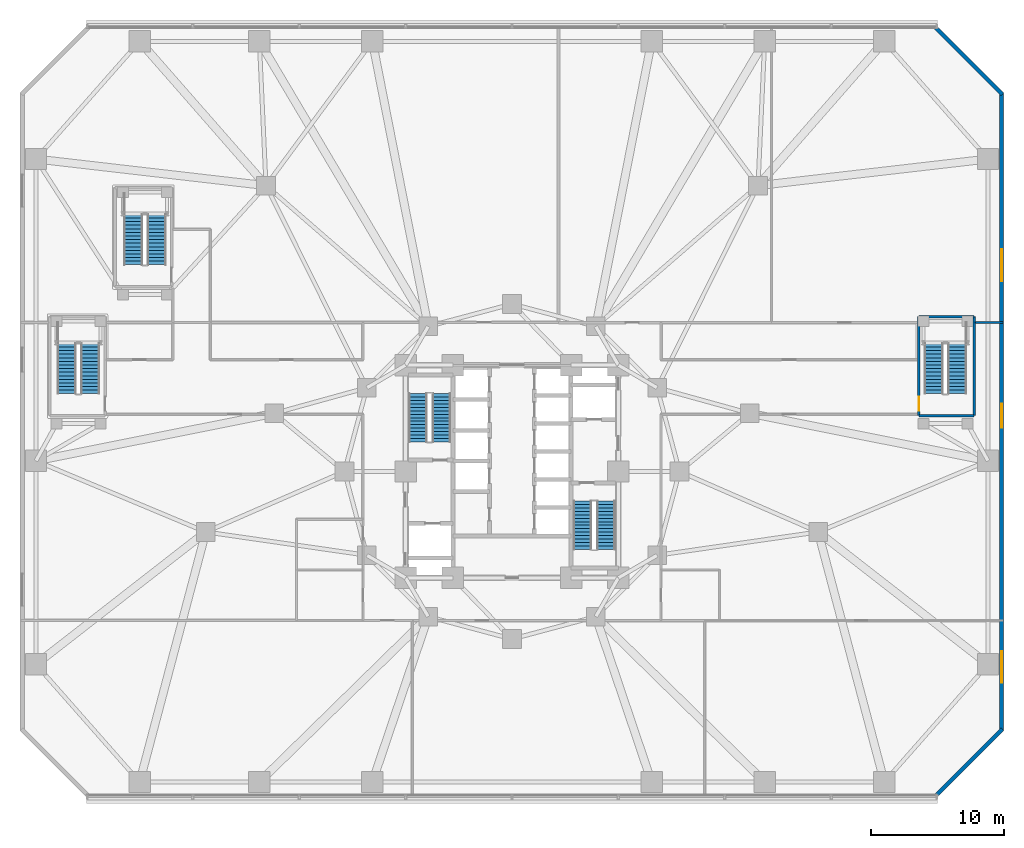
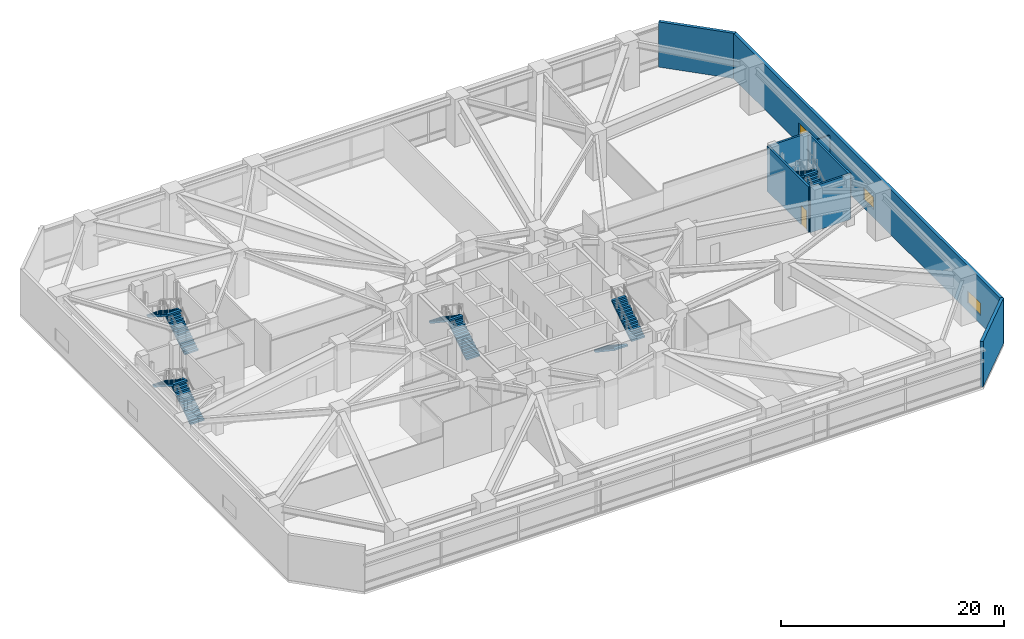
# One storey, part 18 of 27: 10 stair flights, 8 walls, 3 windows, 1 door, 4 openings, 5 elements without a shape of their own.
"""IFC4 building model written with IfcOpenShell, lengths in metres."""

from ifc_helpers import new_model, si_unit, direction, frame, frame_2d, origin, place, context, subcontext, project, spatial, polyline, rectangle, outline, extrude, material, layer, layer_set, type_object, element, fill, aggregate, save


model = new_model("IFC4")

# Units and contexts
model_context = context("Model", 3, precision=1e-05, world=origin(), true_north=direction((0.0, 1.0)))
body_context = subcontext(model_context, "Body", "Model", "MODEL_VIEW")
ifc_project = project(units=[si_unit("LENGTHUNIT", "METRE"), si_unit("AREAUNIT", "SQUARE_METRE"), si_unit("VOLUMEUNIT", "CUBIC_METRE"), si_unit("PLANEANGLEUNIT", "RADIAN"), si_unit("MASSUNIT", "GRAM", prefix="KILO")], contexts=[model_context])

# Site, building, storey
site_placement = place(None, origin())
site = spatial("IfcSite", under=ifc_project, at=site_placement, CompositionType="ELEMENT")
building_placement = place(site_placement, origin())
building = spatial("IfcBuilding", under=site, at=building_placement, Name="Terralouvre Media Tower", CompositionType="ELEMENT")
storey_placement = place(building_placement, frame((0.0, 0.0, 15.60009765625)))
storey = spatial("IfcBuildingStorey", under=building, at=storey_placement, Name="L03", CompositionType="ELEMENT", Elevation=15.60009765625)

# Walls
ifc_material_1 = material(Name="Fire-rated gypsum board drywall partition")
ifc_layer_1 = layer(ifc_material_1, 0.199951171875, Name="Fire-Rated Shaft and Lobby Partition FW-200")
ifc_layer_set_1 = layer_set([ifc_layer_1], Name="Fire-rated gypsum board drywall partition")
wall_type_1 = type_object("IfcWallType", Name="Fire-Rated Shaft and Lobby Partition FW-200", PredefinedType="SOLIDWALL", material=ifc_layer_set_1)
wall_1_placement = place(storey_placement, frame((30.60009765625, 4.199951171875, 0.0), z_axis=(0.0, 0.0, 1.0), x_axis=(1.0, 0.0, 0.0)))
element("IfcWall", 1, at=wall_1_placement, inside=storey, type_object=wall_type_1, Name="L03 ST04 Stair Shaft Wall S", PredefinedType="SOLIDWALL", context=body_context, shape_type="SweptSolid", body=[
    extrude(rectangle(XDim=4.14990234375, YDim=0.199951171875, at=frame_2d((2.074951171875, 0.0))), origin(), (0.0, 0.0, 1.0), 4.949951171875),
])
wall_2_placement = place(storey_placement, frame((34.75, 4.199951171875, 0.0), z_axis=(0.0, 0.0, 1.0), x_axis=(0.0, 1.0, 0.0)))
element("IfcWall", 2, at=wall_2_placement, inside=storey, type_object=wall_type_1, Name="L03 ST04 Stair Shaft Wall E", PredefinedType="SOLIDWALL", context=body_context, shape_type="SweptSolid", body=[
    extrude(rectangle(XDim=7.449951171875, YDim=0.199951171875, at=frame_2d((3.72509765625, 0.0))), origin(), (0.0, 0.0, 1.0), 4.949951171875),
])
wall_3_placement = place(storey_placement, frame((34.75, 11.64990234375, 0.0), z_axis=(0.0, 0.0, 1.0), x_axis=(-1.0, 0.0, 0.0)))
element("IfcWall", 3, at=wall_3_placement, inside=storey, type_object=wall_type_1, Name="L03 ST04 Stair Shaft Wall N", PredefinedType="SOLIDWALL", context=body_context, shape_type="SweptSolid", body=[
    extrude(rectangle(XDim=4.14990234375, YDim=0.199951171875, at=frame_2d((2.074951171875, 0.0))), origin(), (0.0, 0.0, 1.0), 4.949951171875),
])

# Wall, opening, door
wall_4_placement = place(storey_placement, frame((30.60009765625, 11.64990234375, 0.0), z_axis=(0.0, 0.0, 1.0), x_axis=(0.0, -1.0, 0.0)))
wall_4 = element("IfcWall", 4, at=wall_4_placement, inside=storey, type_object=wall_type_1, Name="L03 ST04 Stair Shaft Wall W", PredefinedType="SOLIDWALL", context=body_context, shape_type="SweptSolid", body=[
    extrude(rectangle(XDim=7.449951171875, YDim=0.199951171875, at=frame_2d((3.72509765625, 0.0))), origin(), (0.0, 0.0, 1.0), 4.949951171875),
])
opening_1_placement = place(wall_4_placement, frame((6.0400390625, 0.0, 0.0)))
opening_1 = element("IfcOpeningElement", 5, at=opening_1_placement, cuts=wall_4, Name="Opening FD-01-105X215", PredefinedType="OPENING", context=body_context, shape_type="SweptSolid", body=[
    extrude(rectangle(XDim=1.050048828125, YDim=2.14990234375, at=frame_2d((0.52490234375, 1.074951171875))), frame((0.0, 0.10986328125, 0.0), z_axis=(0.0, -1.0, 0.0), x_axis=(1.0, 0.0, 0.0)), (0.0, 0.0, 1.0), 0.219970703125),
])
ifc_material_2 = material(Name="Galvanised steel fire-resisting leaf", Category="steel")
door_type = type_object("IfcDoorType", Name="Stair and Firefighting Lobby Fire Door FD-01 (1050x2150)", OperationType="NOTDEFINED", PredefinedType="DOOR", material=ifc_material_2)
door_placement = place(opening_1_placement, origin())
door = element("IfcDoor", 6, at=door_placement, inside=storey, type_object=door_type, Name="L03 ST04 Pressurised Stair Door", OperationType="SINGLE_SWING_LEFT", OverallHeight=2.14990234375, OverallWidth=1.050048828125, PredefinedType="DOOR", context=body_context, shape_type="SweptSolid", body=[
    extrude(rectangle(XDim=1.050048828125, YDim=2.14990234375, at=frame_2d((0.52490234375, 1.074951171875))), frame((0.0, 0.02490234375, 0.0), z_axis=(0.0, -1.0, 0.0), x_axis=(1.0, 0.0, 0.0)), (0.0, 0.0, 1.0), 0.050048828125),
])
fill(opening_1, door)

# Walls
ifc_material_3 = material(Name="Fire-rated gypsum board drywall partition")
ifc_layer_2 = layer(ifc_material_3, 0.135009765625, Name="Newsroom Acoustic Partition PT-135")
ifc_layer_set_2 = layer_set([ifc_layer_2], Name="Fire-rated gypsum board drywall partition")
wall_type_2 = type_object("IfcWallType", Name="Newsroom Acoustic Partition PT-135", PredefinedType="PARTITIONING", material=ifc_layer_set_2)
wall_5_placement = place(storey_placement, frame((36.919921875, 11.199951171875, 0.0), z_axis=(0.0, 0.0, 1.0), x_axis=(-1.0, 0.0, 0.0)))
element("IfcWall", 7, at=wall_5_placement, inside=storey, type_object=wall_type_2, Name="L03 Interior Partition 037", PredefinedType="PARTITIONING", context=body_context, shape_type="SweptSolid", body=[
    extrude(rectangle(XDim=2.06982421875, YDim=0.135009765625, at=frame_2d((1.034912109375, 0.0))), origin(), (0.0, 0.0, 1.0), 4.23486328125),
])
ifc_material_4 = material(Name="Kiln-fired architectural terracotta rainscreen cladding", Category="masonry")
ifc_layer_3 = layer(ifc_material_4, 0.300048828125, Name="Podium Acoustic Terracotta Cladding Wall EW-TC300")
ifc_layer_set_3 = layer_set([ifc_layer_3], Name="Kiln-fired architectural terracotta rainscreen cladding")
wall_type_3 = type_object("IfcWallType", Name="Podium Acoustic Terracotta Cladding Wall EW-TC300", PredefinedType="SOLIDWALL", material=ifc_layer_set_3)
wall_6_placement = place(storey_placement, frame((31.876220703125, -24.376220703125, 0.0), z_axis=(0.0, 0.0, 1.0), x_axis=(0.707106781187, 0.707106781187, 0.0)))
element("IfcWall", 8, at=wall_6_placement, inside=storey, type_object=wall_type_3, Name="L03 Podium Terracotta Wall F1", PredefinedType="SOLIDWALL", context=body_context, shape_type="SweptSolid", body=[
    extrude(rectangle(XDim=7.071044921875, YDim=0.300048828125, at=frame_2d((3.53564453125, 0.0))), origin(), (0.0, 0.0, 1.0), 4.949951171875),
])

# Wall, openings, windows
wall_7_placement = place(storey_placement, frame((36.824951171875, -19.5, 0.0), z_axis=(0.0, 0.0, 1.0), x_axis=(0.0, 1.0, 0.0)))
wall_7 = element("IfcWall", 9, at=wall_7_placement, inside=storey, type_object=wall_type_3, Name="L03 Podium Terracotta Wall F2", PredefinedType="SOLIDWALL", context=body_context, shape_type="SweptSolid", body=[
    extrude(rectangle(XDim=48.0, YDim=0.300048828125, at=frame_2d((24.0, 0.0))), origin(), (0.0, 0.0, 1.0), 4.949951171875),
])
opening_2_placement = place(wall_7_placement, frame((3.60009765625, 0.0, 0.89990234375)))
opening_2 = element("IfcOpeningElement", 10, at=opening_2_placement, cuts=wall_7, Name="Opening W-01", PredefinedType="OPENING", context=body_context, shape_type="SweptSolid", body=[
    extrude(rectangle(XDim=2.39990234375, YDim=1.35009765625, at=frame_2d((1.199951171875, 0.675048828125))), frame((0.0, 0.159912109375, 0.0), z_axis=(0.0, -1.0, 0.0), x_axis=(1.0, 0.0, 0.0)), (0.0, 0.0, 1.0), 0.320068359375),
])
opening_3_placement = place(wall_7_placement, frame((22.800048828125, 0.0, 0.89990234375)))
opening_3 = element("IfcOpeningElement", 11, at=opening_3_placement, cuts=wall_7, Name="Opening W-02", PredefinedType="OPENING", context=body_context, shape_type="SweptSolid", body=[
    extrude(rectangle(XDim=1.800048828125, YDim=1.35009765625, at=frame_2d((0.89990234375, 0.675048828125))), frame((0.0, 0.159912109375, 0.0), z_axis=(0.0, -1.0, 0.0), x_axis=(1.0, 0.0, 0.0)), (0.0, 0.0, 1.0), 0.320068359375),
])
opening_4_placement = place(wall_7_placement, frame((33.800048828125, 0.0, 0.89990234375)))
opening_4 = element("IfcOpeningElement", 12, at=opening_4_placement, cuts=wall_7, Name="Opening W-01", PredefinedType="OPENING", context=body_context, shape_type="SweptSolid", body=[
    extrude(rectangle(XDim=2.39990234375, YDim=1.35009765625, at=frame_2d((1.199951171875, 0.675048828125))), frame((0.0, 0.159912109375, 0.0), z_axis=(0.0, -1.0, 0.0), x_axis=(1.0, 0.0, 0.0)), (0.0, 0.0, 1.0), 0.320068359375),
])
ifc_material_5 = material(Name="Low-iron laminated double glazing with solar-control coating", Category="glass")
window_type_1 = type_object("IfcWindowType", Name="Podium Acoustic Studio Window W-01", PartitioningType="SINGLE_PANEL", PredefinedType="WINDOW", material=ifc_material_5)
window_1_placement = place(opening_2_placement, origin())
window_1 = element("IfcWindow", 13, at=window_1_placement, inside=storey, type_object=window_type_1, Name="L03 Podium Window WIN-L03-F2-1", OverallHeight=1.35009765625, OverallWidth=2.39990234375, PartitioningType="SINGLE_PANEL", PredefinedType="WINDOW", context=body_context, shape_type="SweptSolid", body=[
    extrude(rectangle(XDim=2.39990234375, YDim=1.35009765625, at=frame_2d((1.199951171875, 0.675048828125))), frame((0.0, 0.030029296875, 0.0), z_axis=(0.0, -1.0, 0.0), x_axis=(1.0, 0.0, 0.0)), (0.0, 0.0, 1.0), 0.06005859375),
])
fill(opening_2, window_1)
window_2_placement = place(opening_4_placement, origin())
window_2 = element("IfcWindow", 14, at=window_2_placement, inside=storey, type_object=window_type_1, Name="L03 Podium Window WIN-L03-F2-3", OverallHeight=1.35009765625, OverallWidth=2.39990234375, PartitioningType="SINGLE_PANEL", PredefinedType="WINDOW", context=body_context, shape_type="SweptSolid", body=[
    extrude(rectangle(XDim=2.39990234375, YDim=1.35009765625, at=frame_2d((1.199951171875, 0.675048828125))), frame((0.0, 0.030029296875, 0.0), z_axis=(0.0, -1.0, 0.0), x_axis=(1.0, 0.0, 0.0)), (0.0, 0.0, 1.0), 0.06005859375),
])
fill(opening_4, window_2)
ifc_material_6 = material(Name="Low-iron laminated double glazing with solar-control coating", Category="glass")
window_type_2 = type_object("IfcWindowType", Name="Podium Press Office Window W-02", PartitioningType="SINGLE_PANEL", PredefinedType="WINDOW", material=ifc_material_6)
window_3_placement = place(opening_3_placement, origin())
window_3 = element("IfcWindow", 15, at=window_3_placement, inside=storey, type_object=window_type_2, Name="L03 Podium Window WIN-L03-F2-2", OverallHeight=1.35009765625, OverallWidth=1.800048828125, PartitioningType="SINGLE_PANEL", PredefinedType="WINDOW", context=body_context, shape_type="SweptSolid", body=[
    extrude(rectangle(XDim=1.800048828125, YDim=1.35009765625, at=frame_2d((0.89990234375, 0.675048828125))), frame((0.0, 0.030029296875, 0.0), z_axis=(0.0, -1.0, 0.0), x_axis=(1.0, 0.0, 0.0)), (0.0, 0.0, 1.0), 0.06005859375),
])
fill(opening_3, window_3)

# Wall
wall_8_placement = place(storey_placement, frame((36.876220703125, 28.376220703125, 0.0), z_axis=(0.0, 0.0, 1.0), x_axis=(-0.707106781187, 0.707106781187, 0.0)))
element("IfcWall", 16, at=wall_8_placement, inside=storey, type_object=wall_type_3, Name="L03 Podium Terracotta Wall F3", PredefinedType="SOLIDWALL", context=body_context, shape_type="SweptSolid", body=[
    extrude(rectangle(XDim=7.071044921875, YDim=0.300048828125, at=frame_2d((3.53564453125, 0.0))), origin(), (0.0, 0.0, 1.0), 4.949951171875),
])

# Stair, stair flights
ifc_material_7 = material(Name="Concrete C45/55", Category="concrete")
stair_type_1 = type_object("IfcStairType", Name="Dogleg Stair Assembly ST-01", PredefinedType="HALF_TURN_STAIR", material=ifc_material_7)
stair_1_placement = place(storey_placement, origin())
stair_1 = element("IfcStair", 17, at=stair_1_placement, inside=storey, type_object=stair_type_1, Name="L03 Core Pressurised Exit Stair ST-01", PredefinedType="HALF_TURN_STAIR")
ifc_material_8 = material(Name="Concrete C45/55", Category="concrete")
stair_flight_type = type_object("IfcStairFlightType", Name="Reinforced Concrete Stair Flight SF-RC1", PredefinedType="STRAIGHT", material=ifc_material_8)
stair_flight_1_placement = place(storey_placement, frame((-5.300048828125, 2.219970703125, 0.0), z_axis=(0.0, 0.0, 1.0), x_axis=(0.0, 1.0, 0.0)))
stair_flight_1 = element("IfcStairFlight", 18, at=stair_flight_1_placement, type_object=stair_flight_type, Name="ST-01 flight 1", NumberOfRisers=15, NumberOfTreads=14, PredefinedType="STRAIGHT", RiserHeight=0.173333333, TreadLength=0.26, context=body_context, shape_type="SweptSolid", body=[
    extrude(outline(polyline([(0.0, 0.0), (0.0, 0.17333984375), (0.260009765625, 0.17333984375), (0.260009765625, 0.3466796875), (0.52001953125, 0.3466796875), (0.52001953125, 0.52001953125), (0.780029296875, 0.52001953125), (0.780029296875, 0.693359375), (1.0400390625, 0.693359375), (1.0400390625, 0.86669921875), (1.300048828125, 0.86669921875), (1.300048828125, 1.0400390625), (1.56005859375, 1.0400390625), (1.56005859375, 1.21337890625), (1.820068359375, 1.21337890625), (1.820068359375, 1.38671875), (2.080078125, 1.38671875), (2.080078125, 1.56005859375), (2.340087890625, 1.56005859375), (2.340087890625, 1.7333984375), (2.60009765625, 1.7333984375), (2.60009765625, 1.90673828125), (2.860107421875, 1.90673828125), (2.860107421875, 2.080078125), (3.1201171875, 2.080078125), (3.1201171875, 2.25341796875), (3.3798828125, 2.25341796875), (3.3798828125, 2.4267578125), (3.639892578125, 2.4267578125), (3.639892578125, 2.60009765625), (3.639892578125, 2.24658203125), (0.270263671875, 0.0), (0.0, 0.0)])), frame((0.0, 0.699951171875, 0.0), z_axis=(0.0, -1.0, 0.0), x_axis=(1.0, 0.0, 0.0)), (0.0, 0.0, 1.0), 1.39990234375),
])
stair_flight_2_placement = place(storey_placement, frame((-7.080078125, 5.860107421875, 2.599853515625), z_axis=(0.0, 0.0, 1.0), x_axis=(0.0, -1.0, 0.0)))
stair_flight_2 = element("IfcStairFlight", 19, at=stair_flight_2_placement, type_object=stair_flight_type, Name="ST-01 flight 2", NumberOfRisers=15, NumberOfTreads=14, PredefinedType="STRAIGHT", RiserHeight=0.173333333, TreadLength=0.26, context=body_context, shape_type="SweptSolid", body=[
    extrude(outline(polyline([(0.0, 0.0), (0.0, 0.17333984375), (0.260009765625, 0.17333984375), (0.260009765625, 0.3466796875), (0.52001953125, 0.3466796875), (0.52001953125, 0.52001953125), (0.780029296875, 0.52001953125), (0.780029296875, 0.693359375), (1.0400390625, 0.693359375), (1.0400390625, 0.86669921875), (1.300048828125, 0.86669921875), (1.300048828125, 1.0400390625), (1.56005859375, 1.0400390625), (1.56005859375, 1.21337890625), (1.820068359375, 1.21337890625), (1.820068359375, 1.38671875), (2.080078125, 1.38671875), (2.080078125, 1.56005859375), (2.340087890625, 1.56005859375), (2.340087890625, 1.7333984375), (2.60009765625, 1.7333984375), (2.60009765625, 1.90673828125), (2.860107421875, 1.90673828125), (2.860107421875, 2.080078125), (3.1201171875, 2.080078125), (3.1201171875, 2.25341796875), (3.3798828125, 2.25341796875), (3.3798828125, 2.4267578125), (3.639892578125, 2.4267578125), (3.639892578125, 2.60009765625), (3.639892578125, 2.24658203125), (0.270263671875, 0.0), (0.0, 0.0)])), frame((0.0, 0.699951171875, 0.0), z_axis=(0.0, -1.0, 0.0), x_axis=(1.0, 0.0, 0.0)), (0.0, 0.0, 1.0), 1.39990234375),
])
aggregate(stair_1, [stair_flight_1, stair_flight_2])

ifc_material_9 = material(Name="Concrete C45/55", Category="concrete")
stair_type_2 = type_object("IfcStairType", Name="Dogleg Stair Assembly ST-02", PredefinedType="HALF_TURN_STAIR", material=ifc_material_9)
stair_2_placement = place(storey_placement, origin())
stair_2 = element("IfcStair", 20, at=stair_2_placement, inside=storey, type_object=stair_type_2, Name="L03 Core Pressurised Exit Stair ST-02", PredefinedType="HALF_TURN_STAIR")
stair_flight_3_placement = place(storey_placement, frame((5.300048828125, -2.219970703125, 0.0), z_axis=(0.0, 0.0, 1.0), x_axis=(0.0, -1.0, 0.0)))
stair_flight_3 = element("IfcStairFlight", 21, at=stair_flight_3_placement, type_object=stair_flight_type, Name="ST-02 flight 1", NumberOfRisers=15, NumberOfTreads=14, PredefinedType="STRAIGHT", RiserHeight=0.173333333, TreadLength=0.26, context=body_context, shape_type="SweptSolid", body=[
    extrude(outline(polyline([(0.0, 0.0), (0.0, 0.17333984375), (0.260009765625, 0.17333984375), (0.260009765625, 0.3466796875), (0.52001953125, 0.3466796875), (0.52001953125, 0.52001953125), (0.780029296875, 0.52001953125), (0.780029296875, 0.693359375), (1.0400390625, 0.693359375), (1.0400390625, 0.86669921875), (1.300048828125, 0.86669921875), (1.300048828125, 1.0400390625), (1.56005859375, 1.0400390625), (1.56005859375, 1.21337890625), (1.820068359375, 1.21337890625), (1.820068359375, 1.38671875), (2.080078125, 1.38671875), (2.080078125, 1.56005859375), (2.340087890625, 1.56005859375), (2.340087890625, 1.7333984375), (2.60009765625, 1.7333984375), (2.60009765625, 1.90673828125), (2.860107421875, 1.90673828125), (2.860107421875, 2.080078125), (3.1201171875, 2.080078125), (3.1201171875, 2.25341796875), (3.3798828125, 2.25341796875), (3.3798828125, 2.4267578125), (3.639892578125, 2.4267578125), (3.639892578125, 2.60009765625), (3.639892578125, 2.24658203125), (0.270263671875, 0.0), (0.0, 0.0)])), frame((0.0, 0.699951171875, 0.0), z_axis=(0.0, -1.0, 0.0), x_axis=(1.0, 0.0, 0.0)), (0.0, 0.0, 1.0), 1.39990234375),
])
stair_flight_4_placement = place(storey_placement, frame((7.080078125, -5.860107421875, 2.599853515625), z_axis=(0.0, 0.0, 1.0), x_axis=(0.0, 1.0, 0.0)))
stair_flight_4 = element("IfcStairFlight", 22, at=stair_flight_4_placement, type_object=stair_flight_type, Name="ST-02 flight 2", NumberOfRisers=15, NumberOfTreads=14, PredefinedType="STRAIGHT", RiserHeight=0.173333333, TreadLength=0.26, context=body_context, shape_type="SweptSolid", body=[
    extrude(outline(polyline([(0.0, 0.0), (0.0, 0.17333984375), (0.260009765625, 0.17333984375), (0.260009765625, 0.3466796875), (0.52001953125, 0.3466796875), (0.52001953125, 0.52001953125), (0.780029296875, 0.52001953125), (0.780029296875, 0.693359375), (1.0400390625, 0.693359375), (1.0400390625, 0.86669921875), (1.300048828125, 0.86669921875), (1.300048828125, 1.0400390625), (1.56005859375, 1.0400390625), (1.56005859375, 1.21337890625), (1.820068359375, 1.21337890625), (1.820068359375, 1.38671875), (2.080078125, 1.38671875), (2.080078125, 1.56005859375), (2.340087890625, 1.56005859375), (2.340087890625, 1.7333984375), (2.60009765625, 1.7333984375), (2.60009765625, 1.90673828125), (2.860107421875, 1.90673828125), (2.860107421875, 2.080078125), (3.1201171875, 2.080078125), (3.1201171875, 2.25341796875), (3.3798828125, 2.25341796875), (3.3798828125, 2.4267578125), (3.639892578125, 2.4267578125), (3.639892578125, 2.60009765625), (3.639892578125, 2.24658203125), (0.270263671875, 0.0), (0.0, 0.0)])), frame((0.0, 0.699951171875, 0.0), z_axis=(0.0, -1.0, 0.0), x_axis=(1.0, 0.0, 0.0)), (0.0, 0.0, 1.0), 1.39990234375),
])
aggregate(stair_2, [stair_flight_3, stair_flight_4])

ifc_material_10 = material(Name="Concrete C45/55", Category="concrete")
stair_type_3 = type_object("IfcStairType", Name="Dogleg Stair Assembly ST-03", PredefinedType="HALF_TURN_STAIR", material=ifc_material_10)
stair_3_placement = place(storey_placement, origin())
stair_3 = element("IfcStair", 23, at=stair_3_placement, inside=storey, type_object=stair_type_3, Name="L03 West Podium Exit Stair ST-03", PredefinedType="HALF_TURN_STAIR")
stair_flight_5_placement = place(storey_placement, frame((-31.7099609375, 5.85009765625, 0.0), z_axis=(0.0, 0.0, 1.0), x_axis=(0.0, 1.0, 0.0)))
stair_flight_5 = element("IfcStairFlight", 24, at=stair_flight_5_placement, type_object=stair_flight_type, Name="ST-03 flight 1", NumberOfRisers=15, NumberOfTreads=14, PredefinedType="STRAIGHT", RiserHeight=0.173333333, TreadLength=0.27, context=body_context, shape_type="SweptSolid", body=[
    extrude(outline(polyline([(0.0, 0.0), (0.0, 0.17333984375), (0.27001953125, 0.17333984375), (0.27001953125, 0.3466796875), (0.5400390625, 0.3466796875), (0.5400390625, 0.52001953125), (0.81005859375, 0.52001953125), (0.81005859375, 0.693359375), (1.080078125, 0.693359375), (1.080078125, 0.86669921875), (1.35009765625, 0.86669921875), (1.35009765625, 1.0400390625), (1.6201171875, 1.0400390625), (1.6201171875, 1.21337890625), (1.889892578125, 1.21337890625), (1.889892578125, 1.38671875), (2.159912109375, 1.38671875), (2.159912109375, 1.56005859375), (2.429931640625, 1.56005859375), (2.429931640625, 1.7333984375), (2.699951171875, 1.7333984375), (2.699951171875, 1.90673828125), (2.969970703125, 1.90673828125), (2.969970703125, 2.080078125), (3.239990234375, 2.080078125), (3.239990234375, 2.25341796875), (3.510009765625, 2.25341796875), (3.510009765625, 2.4267578125), (3.780029296875, 2.4267578125), (3.780029296875, 2.60009765625), (3.780029296875, 2.24853515625), (0.277587890625, 0.0), (0.0, 0.0)])), frame((0.0, 0.7099609375, 0.0), z_axis=(0.0, -1.0, 0.0), x_axis=(1.0, 0.0, 0.0)), (0.0, 0.0, 1.0), 1.419921875),
])
stair_flight_6_placement = place(storey_placement, frame((-33.489990234375, 9.6298828125, 2.599853515625), z_axis=(0.0, 0.0, 1.0), x_axis=(0.0, -1.0, 0.0)))
stair_flight_6 = element("IfcStairFlight", 25, at=stair_flight_6_placement, type_object=stair_flight_type, Name="ST-03 flight 2", NumberOfRisers=15, NumberOfTreads=14, PredefinedType="STRAIGHT", RiserHeight=0.173333333, TreadLength=0.27, context=body_context, shape_type="SweptSolid", body=[
    extrude(outline(polyline([(0.0, 0.0), (0.0, 0.17333984375), (0.27001953125, 0.17333984375), (0.27001953125, 0.3466796875), (0.5400390625, 0.3466796875), (0.5400390625, 0.52001953125), (0.81005859375, 0.52001953125), (0.81005859375, 0.693359375), (1.080078125, 0.693359375), (1.080078125, 0.86669921875), (1.35009765625, 0.86669921875), (1.35009765625, 1.0400390625), (1.6201171875, 1.0400390625), (1.6201171875, 1.21337890625), (1.889892578125, 1.21337890625), (1.889892578125, 1.38671875), (2.159912109375, 1.38671875), (2.159912109375, 1.56005859375), (2.429931640625, 1.56005859375), (2.429931640625, 1.7333984375), (2.699951171875, 1.7333984375), (2.699951171875, 1.90673828125), (2.969970703125, 1.90673828125), (2.969970703125, 2.080078125), (3.239990234375, 2.080078125), (3.239990234375, 2.25341796875), (3.510009765625, 2.25341796875), (3.510009765625, 2.4267578125), (3.780029296875, 2.4267578125), (3.780029296875, 2.60009765625), (3.780029296875, 2.24853515625), (0.277587890625, 0.0), (0.0, 0.0)])), frame((0.0, 0.7099609375, 0.0), z_axis=(0.0, -1.0, 0.0), x_axis=(1.0, 0.0, 0.0)), (0.0, 0.0, 1.0), 1.419921875),
])
aggregate(stair_3, [stair_flight_5, stair_flight_6])

ifc_material_11 = material(Name="Concrete C45/55", Category="concrete")
stair_type_4 = type_object("IfcStairType", Name="Dogleg Stair Assembly ST-04", PredefinedType="HALF_TURN_STAIR", material=ifc_material_11)
stair_4_placement = place(storey_placement, origin())
stair_4 = element("IfcStair", 26, at=stair_4_placement, inside=storey, type_object=stair_type_4, Name="L03 East Podium Exit Stair ST-04", PredefinedType="HALF_TURN_STAIR")
stair_flight_7_placement = place(storey_placement, frame((33.489990234375, 5.85009765625, 0.0), z_axis=(0.0, 0.0, 1.0), x_axis=(0.0, 1.0, 0.0)))
stair_flight_7 = element("IfcStairFlight", 27, at=stair_flight_7_placement, type_object=stair_flight_type, Name="ST-04 flight 1", NumberOfRisers=15, NumberOfTreads=14, PredefinedType="STRAIGHT", RiserHeight=0.173333333, TreadLength=0.27, context=body_context, shape_type="SweptSolid", body=[
    extrude(outline(polyline([(0.0, 0.0), (0.0, 0.17333984375), (0.27001953125, 0.17333984375), (0.27001953125, 0.3466796875), (0.5400390625, 0.3466796875), (0.5400390625, 0.52001953125), (0.81005859375, 0.52001953125), (0.81005859375, 0.693359375), (1.080078125, 0.693359375), (1.080078125, 0.86669921875), (1.35009765625, 0.86669921875), (1.35009765625, 1.0400390625), (1.6201171875, 1.0400390625), (1.6201171875, 1.21337890625), (1.889892578125, 1.21337890625), (1.889892578125, 1.38671875), (2.159912109375, 1.38671875), (2.159912109375, 1.56005859375), (2.429931640625, 1.56005859375), (2.429931640625, 1.7333984375), (2.699951171875, 1.7333984375), (2.699951171875, 1.90673828125), (2.969970703125, 1.90673828125), (2.969970703125, 2.080078125), (3.239990234375, 2.080078125), (3.239990234375, 2.25341796875), (3.510009765625, 2.25341796875), (3.510009765625, 2.4267578125), (3.780029296875, 2.4267578125), (3.780029296875, 2.60009765625), (3.780029296875, 2.24853515625), (0.277587890625, 0.0), (0.0, 0.0)])), frame((0.0, 0.7099609375, 0.0), z_axis=(0.0, -1.0, 0.0), x_axis=(1.0, 0.0, 0.0)), (0.0, 0.0, 1.0), 1.419921875),
])
stair_flight_8_placement = place(storey_placement, frame((31.7099609375, 9.6298828125, 2.599853515625), z_axis=(0.0, 0.0, 1.0), x_axis=(0.0, -1.0, 0.0)))
stair_flight_8 = element("IfcStairFlight", 28, at=stair_flight_8_placement, type_object=stair_flight_type, Name="ST-04 flight 2", NumberOfRisers=15, NumberOfTreads=14, PredefinedType="STRAIGHT", RiserHeight=0.173333333, TreadLength=0.27, context=body_context, shape_type="SweptSolid", body=[
    extrude(outline(polyline([(0.0, 0.0), (0.0, 0.17333984375), (0.27001953125, 0.17333984375), (0.27001953125, 0.3466796875), (0.5400390625, 0.3466796875), (0.5400390625, 0.52001953125), (0.81005859375, 0.52001953125), (0.81005859375, 0.693359375), (1.080078125, 0.693359375), (1.080078125, 0.86669921875), (1.35009765625, 0.86669921875), (1.35009765625, 1.0400390625), (1.6201171875, 1.0400390625), (1.6201171875, 1.21337890625), (1.889892578125, 1.21337890625), (1.889892578125, 1.38671875), (2.159912109375, 1.38671875), (2.159912109375, 1.56005859375), (2.429931640625, 1.56005859375), (2.429931640625, 1.7333984375), (2.699951171875, 1.7333984375), (2.699951171875, 1.90673828125), (2.969970703125, 1.90673828125), (2.969970703125, 2.080078125), (3.239990234375, 2.080078125), (3.239990234375, 2.25341796875), (3.510009765625, 2.25341796875), (3.510009765625, 2.4267578125), (3.780029296875, 2.4267578125), (3.780029296875, 2.60009765625), (3.780029296875, 2.24853515625), (0.277587890625, 0.0), (0.0, 0.0)])), frame((0.0, 0.7099609375, 0.0), z_axis=(0.0, -1.0, 0.0), x_axis=(1.0, 0.0, 0.0)), (0.0, 0.0, 1.0), 1.419921875),
])
aggregate(stair_4, [stair_flight_7, stair_flight_8])

ifc_material_12 = material(Name="Concrete C45/55", Category="concrete")
stair_type_5 = type_object("IfcStairType", Name="Dogleg Stair Assembly ST-06", PredefinedType="HALF_TURN_STAIR", material=ifc_material_12)
stair_5_placement = place(storey_placement, origin())
stair_5 = element("IfcStair", 29, at=stair_5_placement, inside=storey, type_object=stair_type_5, Name="L03 Podium Garden Visitor Stair ST-06", PredefinedType="HALF_TURN_STAIR")
stair_flight_9_placement = place(storey_placement, frame((-26.7099609375, 15.550048828125, 0.0), z_axis=(0.0, 0.0, 1.0), x_axis=(0.0, 1.0, 0.0)))
stair_flight_9 = element("IfcStairFlight", 30, at=stair_flight_9_placement, type_object=stair_flight_type, Name="ST-06 flight 1", NumberOfRisers=15, NumberOfTreads=14, PredefinedType="STRAIGHT", RiserHeight=0.173333333, TreadLength=0.27, context=body_context, shape_type="SweptSolid", body=[
    extrude(outline(polyline([(0.0, 0.0), (0.0, 0.17333984375), (0.27001953125, 0.17333984375), (0.27001953125, 0.3466796875), (0.5400390625, 0.3466796875), (0.5400390625, 0.52001953125), (0.81005859375, 0.52001953125), (0.81005859375, 0.693359375), (1.080078125, 0.693359375), (1.080078125, 0.86669921875), (1.35009765625, 0.86669921875), (1.35009765625, 1.0400390625), (1.6201171875, 1.0400390625), (1.6201171875, 1.21337890625), (1.889892578125, 1.21337890625), (1.889892578125, 1.38671875), (2.159912109375, 1.38671875), (2.159912109375, 1.56005859375), (2.429931640625, 1.56005859375), (2.429931640625, 1.7333984375), (2.699951171875, 1.7333984375), (2.699951171875, 1.90673828125), (2.969970703125, 1.90673828125), (2.969970703125, 2.080078125), (3.239990234375, 2.080078125), (3.239990234375, 2.25341796875), (3.510009765625, 2.25341796875), (3.510009765625, 2.4267578125), (3.780029296875, 2.4267578125), (3.780029296875, 2.60009765625), (3.780029296875, 2.24853515625), (0.277587890625, 0.0), (0.0, 0.0)])), frame((0.0, 0.7099609375, 0.0), z_axis=(0.0, -1.0, 0.0), x_axis=(1.0, 0.0, 0.0)), (0.0, 0.0, 1.0), 1.419921875),
])
stair_flight_10_placement = place(storey_placement, frame((-28.489990234375, 19.330078125, 2.599853515625), z_axis=(0.0, 0.0, 1.0), x_axis=(0.0, -1.0, 0.0)))
stair_flight_10 = element("IfcStairFlight", 31, at=stair_flight_10_placement, type_object=stair_flight_type, Name="ST-06 flight 2", NumberOfRisers=15, NumberOfTreads=14, PredefinedType="STRAIGHT", RiserHeight=0.173333333, TreadLength=0.27, context=body_context, shape_type="SweptSolid", body=[
    extrude(outline(polyline([(0.0, 0.0), (0.0, 0.17333984375), (0.27001953125, 0.17333984375), (0.27001953125, 0.3466796875), (0.5400390625, 0.3466796875), (0.5400390625, 0.52001953125), (0.81005859375, 0.52001953125), (0.81005859375, 0.693359375), (1.080078125, 0.693359375), (1.080078125, 0.86669921875), (1.35009765625, 0.86669921875), (1.35009765625, 1.0400390625), (1.6201171875, 1.0400390625), (1.6201171875, 1.21337890625), (1.889892578125, 1.21337890625), (1.889892578125, 1.38671875), (2.159912109375, 1.38671875), (2.159912109375, 1.56005859375), (2.429931640625, 1.56005859375), (2.429931640625, 1.7333984375), (2.699951171875, 1.7333984375), (2.699951171875, 1.90673828125), (2.969970703125, 1.90673828125), (2.969970703125, 2.080078125), (3.239990234375, 2.080078125), (3.239990234375, 2.25341796875), (3.510009765625, 2.25341796875), (3.510009765625, 2.4267578125), (3.780029296875, 2.4267578125), (3.780029296875, 2.60009765625), (3.780029296875, 2.24853515625), (0.277587890625, 0.0), (0.0, 0.0)])), frame((0.0, 0.7099609375, 0.0), z_axis=(0.0, -1.0, 0.0), x_axis=(1.0, 0.0, 0.0)), (0.0, 0.0, 1.0), 1.419921875),
])
aggregate(stair_5, [stair_flight_9, stair_flight_10])

save(model, "model.ifc")
